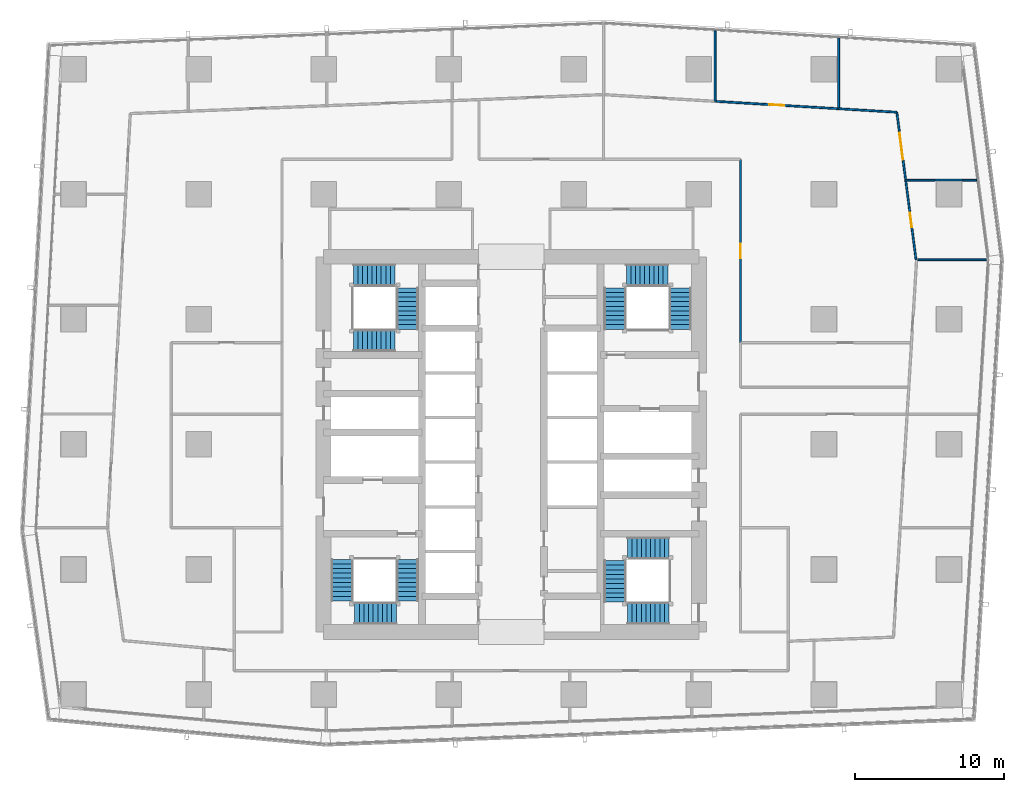
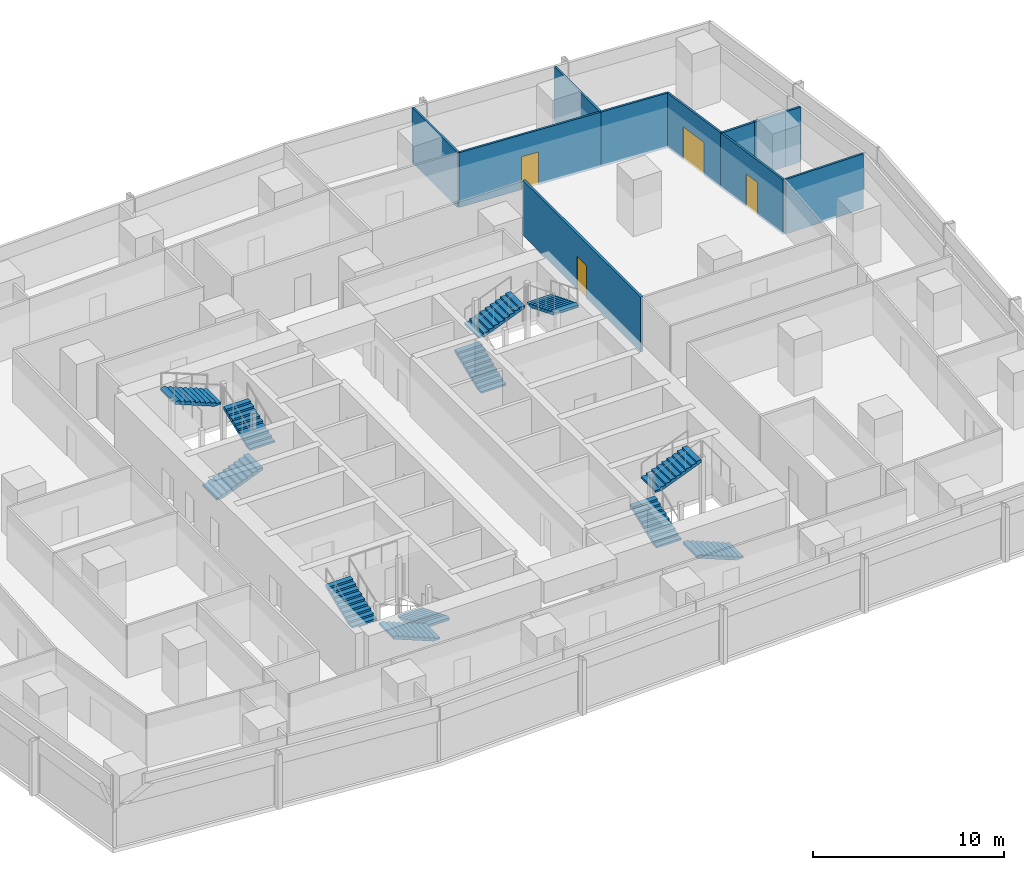
# One storey, part 32 of 40: 12 stair flights, 11 walls, 4 doors, 4 openings, 4 elements without a shape of their own.
"""IFC4 building model written with IfcOpenShell, lengths in metres."""

from ifc_helpers import new_model, si_unit, direction, frame, frame_2d, origin, place, context, subcontext, project, spatial, polyline, rectangle, outline, extrude, material, layer, layer_set, type_object, element, fill, aggregate, save


model = new_model("IFC4")

# Units and contexts
model_context = context("Model", 3, precision=1e-05, world=origin(), true_north=direction((0.0, 1.0)))
body_context = subcontext(model_context, "Body", "Model", "MODEL_VIEW")
ifc_project = project(units=[si_unit("LENGTHUNIT", "METRE"), si_unit("AREAUNIT", "SQUARE_METRE"), si_unit("VOLUMEUNIT", "CUBIC_METRE"), si_unit("PLANEANGLEUNIT", "RADIAN"), si_unit("MASSUNIT", "GRAM", prefix="KILO")], contexts=[model_context])

# Site, building, storey
site_placement = place(None, origin())
site = spatial("IfcSite", under=ifc_project, at=site_placement, CompositionType="ELEMENT")
building_placement = place(site_placement, origin())
building = spatial("IfcBuilding", under=site, at=building_placement, Name="Rekha Terrace Tower", CompositionType="ELEMENT")
storey_placement = place(building_placement, frame((0.0, 0.0, 117.800048828125)))
storey = spatial("IfcBuildingStorey", under=building, at=storey_placement, Name="L29", CompositionType="ELEMENT", Elevation=117.800048828125)

# Wall
ifc_material_1 = material(Name="Concrete block masonry, 1 hour", Category="masonry")
ifc_layer_1 = layer(ifc_material_1, 0.14990234375)
ifc_layer_set_1 = layer_set([ifc_layer_1], Name="Concrete block masonry, 1 hour")
wall_type_1 = type_object("IfcWallType", Name="WP2 150 tenancy partition", PredefinedType="PARTITIONING", material=ifc_layer_set_1)
wall_1_placement = place(storey_placement, frame((68.139892578125, 51.35498046875, 0.0), z_axis=(0.0, 0.0, 1.0), x_axis=(-1.0, 0.0, 0.0)))
element("IfcWall", 1, at=wall_1_placement, inside=storey, type_object=wall_type_1, Name="Partition L29-O1", PredefinedType="PARTITIONING", context=body_context, shape_type="SweptSolid", body=[
    extrude(rectangle(XDim=1.8798828125, YDim=0.14990234375, at=frame_2d((0.93994140625, 0.0))), origin(), (0.0, 0.0, 1.0), 3.5),
])

# Wall, opening, door
wall_2_placement = place(storey_placement, frame((53.199951171875, 40.43310546875, 0.0), z_axis=(0.0, 0.0, 1.0), x_axis=(0.0, 1.0, 0.0)))
wall_2 = element("IfcWall", 2, at=wall_2_placement, inside=storey, type_object=wall_type_1, Name="Partition L29-O1", PredefinedType="PARTITIONING", context=body_context, shape_type="SweptSolid", body=[
    extrude(rectangle(XDim=12.31689453125, YDim=0.14990234375, at=frame_2d((6.158447265625, 0.0))), origin(), (0.0, 0.0, 1.0), 3.5),
])
opening_1_placement = place(wall_2_placement, frame((5.657958984375, 0.0, 0.0)))
opening_1 = element("IfcOpeningElement", 3, at=opening_1_placement, cuts=wall_2, Name="Opening D9", PredefinedType="OPENING", context=body_context, shape_type="SweptSolid", body=[
    extrude(rectangle(XDim=1.0, YDim=2.10009765625, at=frame_2d((0.5, 1.050048828125))), frame((0.0, 0.0849609375, 0.0), z_axis=(0.0, -1.0, 0.0), x_axis=(1.0, 0.0, 0.0)), (0.0, 0.0, 1.0), 0.169921875),
])
ifc_material_2 = material(Name="Timber fire door", Category="wood")
door_type_1 = type_object("IfcDoorType", Name="D9 1000x2100 office door", OperationType="SINGLE_SWING_LEFT", PredefinedType="DOOR", material=ifc_material_2)
door_1_placement = place(opening_1_placement, origin())
door_1 = element("IfcDoor", 4, at=door_1_placement, inside=storey, type_object=door_type_1, Name="Door open-plan office L29", OperationType="SINGLE_SWING_LEFT", OverallHeight=2.10009765625, OverallWidth=1.0, PredefinedType="DOOR", context=body_context, shape_type="SweptSolid", body=[
    extrude(rectangle(XDim=1.0, YDim=2.10009765625, at=frame_2d((0.5, 1.050048828125))), frame((0.0, 0.02490234375, 0.0), z_axis=(0.0, -1.0, 0.0), x_axis=(1.0, 0.0, 0.0)), (0.0, 0.0, 1.0), 0.050048828125),
])
fill(opening_1, door_1)

# Wall
ifc_material_3 = material(Name="Two layers of fire-rated gypsum board each side on steel studs, acoustic quilt, 1 hour", Category="steel")
ifc_layer_2 = layer(ifc_material_3, 0.125)
ifc_layer_set_2 = layer_set([ifc_layer_2], Name="Two layers of fire-rated gypsum board each side on steel studs, acoustic quilt, 1 hour")
wall_type_2 = type_object("IfcWallType", Name="WP3 125 office partition", PredefinedType="PARTITIONING", material=ifc_layer_set_2)
wall_3_placement = place(storey_placement, frame((65.091064453125, 46.0029296875, 0.0), z_axis=(0.0, 0.0, 1.0), x_axis=(1.0, 0.0, 0.0)))
element("IfcWall", 5, at=wall_3_placement, inside=storey, type_object=wall_type_2, Name="Partition L29-06", PredefinedType="PARTITIONING", context=body_context, shape_type="SweptSolid", body=[
    extrude(rectangle(XDim=4.659912109375, YDim=0.125, at=frame_2d((2.330078125, 0.0))), origin(), (0.0, 0.0, 1.0), 3.5),
])

# Wall, opening, door
wall_4_placement = place(storey_placement, frame((64.989990234375, 46.010986328125, 0.0), z_axis=(0.0, 0.0, 1.0), x_axis=(-0.128983610929, 0.991646725458, 0.0)))
wall_4 = element("IfcWall", 6, at=wall_4_placement, inside=storey, type_object=wall_type_2, Name="Partition L29-07", PredefinedType="PARTITIONING", context=body_context, shape_type="SweptSolid", body=[
    extrude(rectangle(XDim=5.371826171875, YDim=0.125, at=frame_2d((2.68603515625, 0.0))), origin(), (0.0, 0.0, 1.0), 3.5),
])
opening_2_placement = place(wall_4_placement, frame((2.181884765625, 0.0, 0.0)))
opening_2 = element("IfcOpeningElement", 7, at=opening_2_placement, cuts=wall_4, Name="Opening D9", PredefinedType="OPENING", context=body_context, shape_type="SweptSolid", body=[
    extrude(rectangle(XDim=1.0, YDim=2.10009765625, at=frame_2d((0.5, 1.050048828125))), frame((0.0, 0.072509765625, 0.0), z_axis=(0.0, -1.0, 0.0), x_axis=(1.0, 0.0, 0.0)), (0.0, 0.0, 1.0), 0.14501953125),
])
door_2_placement = place(opening_2_placement, origin())
door_2 = element("IfcDoor", 8, at=door_2_placement, inside=storey, type_object=door_type_1, Name="Door office L29", OperationType="SINGLE_SWING_LEFT", OverallHeight=2.10009765625, OverallWidth=1.0, PredefinedType="DOOR", context=body_context, shape_type="SweptSolid", body=[
    extrude(rectangle(XDim=1.0, YDim=2.10009765625, at=frame_2d((0.5, 1.050048828125))), frame((0.0, 0.02490234375, 0.0), z_axis=(0.0, -1.0, 0.0), x_axis=(1.0, 0.0, 0.0)), (0.0, 0.0, 1.0), 0.050048828125),
])
fill(opening_2, door_2)

# Walls
wall_5_placement = place(storey_placement, frame((64.297119140625, 51.337890625, 0.0), z_axis=(0.0, 0.0, 1.0), x_axis=(1.0, 0.0, 0.0)))
element("IfcWall", 9, at=wall_5_placement, inside=storey, type_object=wall_type_2, Name="Partition L29-07", PredefinedType="PARTITIONING", context=body_context, shape_type="SweptSolid", body=[
    extrude(rectangle(XDim=1.962890625, YDim=0.125, at=frame_2d((0.9814453125, 0.0))), origin(), (0.0, 0.0, 1.0), 3.5),
])
wall_6_placement = place(storey_placement, frame((68.139892578125, 51.337890625, 0.0), z_axis=(0.0, 0.0, 1.0), x_axis=(1.0, 0.0, 0.0)))
element("IfcWall", 10, at=wall_6_placement, inside=storey, type_object=wall_type_2, Name="Partition L29-07", PredefinedType="PARTITIONING", context=body_context, shape_type="SweptSolid", body=[
    extrude(rectangle(XDim=0.9169921875, YDim=0.125, at=frame_2d((0.45849609375, 0.0))), origin(), (0.0, 0.0, 1.0), 3.5),
])
wall_7_placement = place(storey_placement, frame((59.7880859375, 56.14501953125, 0.0), z_axis=(0.0, 0.0, 1.0), x_axis=(0.0, 1.0, 0.0)))
element("IfcWall", 11, at=wall_7_placement, inside=storey, type_object=wall_type_2, Name="Partition L29-08", PredefinedType="PARTITIONING", context=body_context, shape_type="SweptSolid", body=[
    extrude(rectangle(XDim=4.758056640625, YDim=0.125, at=frame_2d((2.37890625, 0.0))), origin(), (0.0, 0.0, 1.0), 3.5),
])

# Wall, opening, door
wall_8_placement = place(storey_placement, frame((64.297119140625, 51.339111328125, 0.0), z_axis=(0.0, 0.0, 1.0), x_axis=(-0.129339184068, 0.991600411186, 0.0)))
wall_8 = element("IfcWall", 12, at=wall_8_placement, inside=storey, type_object=wall_type_2, Name="Partition L29-08", PredefinedType="PARTITIONING", context=body_context, shape_type="SweptSolid", body=[
    extrude(rectangle(XDim=4.609619140625, YDim=0.125, at=frame_2d((2.3046875, 0.0))), origin(), (0.0, 0.0, 1.0), 3.5),
])
opening_3_placement = place(wall_8_placement, frame((1.405029296875, 0.0, 0.0)))
opening_3 = element("IfcOpeningElement", 13, at=opening_3_placement, cuts=wall_8, Name="Opening D8", PredefinedType="OPENING", context=body_context, shape_type="SweptSolid", body=[
    extrude(rectangle(XDim=1.800048828125, YDim=2.10009765625, at=frame_2d((0.89990234375, 1.050048828125))), frame((0.0, 0.072509765625, 0.0), z_axis=(0.0, -1.0, 0.0), x_axis=(1.0, 0.0, 0.0)), (0.0, 0.0, 1.0), 0.14501953125),
])
door_type_2 = type_object("IfcDoorType", Name="D8 1800x2100 double leaf door", OperationType="DOUBLE_DOOR_SINGLE_SWING", PredefinedType="DOOR", material=ifc_material_2)
door_3_placement = place(opening_3_placement, origin())
door_3 = element("IfcDoor", 14, at=door_3_placement, inside=storey, type_object=door_type_2, Name="Door meeting room L29", OperationType="DOUBLE_DOOR_SINGLE_SWING", OverallHeight=2.10009765625, OverallWidth=1.800048828125, PredefinedType="DOOR", context=body_context, shape_type="SweptSolid", body=[
    extrude(rectangle(XDim=1.800048828125, YDim=2.10009765625, at=frame_2d((0.89990234375, 1.050048828125))), frame((0.0, 0.02490234375, 0.0), z_axis=(0.0, -1.0, 0.0), x_axis=(1.0, 0.0, 0.0)), (0.0, 0.0, 1.0), 0.050048828125),
])
fill(opening_3, door_3)

# Wall
wall_9_placement = place(storey_placement, frame((63.700927734375, 55.909912109375, 0.0), z_axis=(0.0, 0.0, 1.0), x_axis=(-0.998199703309, 0.059977931883, 0.0)))
element("IfcWall", 15, at=wall_9_placement, inside=storey, type_object=wall_type_2, Name="Partition L29-08", PredefinedType="PARTITIONING", context=body_context, shape_type="SweptSolid", body=[
    extrude(rectangle(XDim=3.919921875, YDim=0.125, at=frame_2d((1.9599609375, 0.0))), origin(), (0.0, 0.0, 1.0), 3.5),
])

# Wall, opening, door
wall_10_placement = place(storey_placement, frame((59.787109375, 56.14501953125, 0.0), z_axis=(0.0, 0.0, 1.0), x_axis=(-0.998201048184, 0.059955545233, 0.0)))
wall_10 = element("IfcWall", 16, at=wall_10_placement, inside=storey, type_object=wall_type_2, Name="Partition L29-09", PredefinedType="PARTITIONING", context=body_context, shape_type="SweptSolid", body=[
    extrude(rectangle(XDim=8.306884765625, YDim=0.125, at=frame_2d((4.1533203125, 0.0))), origin(), (0.0, 0.0, 1.0), 3.5),
])
opening_4_placement = place(wall_10_placement, frame((3.653076171875, 0.0, 0.0)))
opening_4 = element("IfcOpeningElement", 17, at=opening_4_placement, cuts=wall_10, Name="Opening D9", PredefinedType="OPENING", context=body_context, shape_type="SweptSolid", body=[
    extrude(rectangle(XDim=1.0, YDim=2.10009765625, at=frame_2d((0.5, 1.050048828125))), frame((0.0, 0.072509765625, 0.0), z_axis=(0.0, -1.0, 0.0), x_axis=(1.0, 0.0, 0.0)), (0.0, 0.0, 1.0), 0.14501953125),
])
door_4_placement = place(opening_4_placement, origin())
door_4 = element("IfcDoor", 18, at=door_4_placement, inside=storey, type_object=door_type_1, Name="Door office L29", OperationType="SINGLE_SWING_LEFT", OverallHeight=2.10009765625, OverallWidth=1.0, PredefinedType="DOOR", context=body_context, shape_type="SweptSolid", body=[
    extrude(rectangle(XDim=1.0, YDim=2.10009765625, at=frame_2d((0.5, 1.050048828125))), frame((0.0, 0.02490234375, 0.0), z_axis=(0.0, -1.0, 0.0), x_axis=(1.0, 0.0, 0.0)), (0.0, 0.0, 1.0), 0.050048828125),
])
fill(opening_4, door_4)

# Wall
wall_11_placement = place(storey_placement, frame((51.4951171875, 56.64306640625, 0.0), z_axis=(0.0, 0.0, 1.0), x_axis=(0.0, 1.0, 0.0)))
element("IfcWall", 19, at=wall_11_placement, inside=storey, type_object=wall_type_2, Name="Partition L29-09", PredefinedType="PARTITIONING", context=body_context, shape_type="SweptSolid", body=[
    extrude(rectangle(XDim=4.72900390625, YDim=0.125, at=frame_2d((2.364501953125, 0.0))), origin(), (0.0, 0.0, 1.0), 3.5),
])

# Stair, stair flights
ifc_material_4 = material(Name="Concrete M40", Category="concrete")
stair_type = type_object("IfcStairType", Name="ST30 stair, 30 risers of 125, going 310, 1500 wide flights, 3 flights", PredefinedType="HALF_TURN_STAIR", material=ifc_material_4)
stair_1_placement = place(storey_placement, origin())
stair_1 = element("IfcStair", 20, at=stair_1_placement, inside=storey, type_object=stair_type, Name="Stair ST1 L29 to L30", PredefinedType="HALF_TURN_STAIR")
stair_flight_type = type_object("IfcStairFlightType", Name="SF10 stair flight, 10 risers of 125, going 310, 1500 wide", PredefinedType="STRAIGHT", material=ifc_material_4)
stair_flight_1_placement = place(storey_placement, frame((30.824951171875, 25.875, 0.0), z_axis=(0.0, 0.0, 1.0), x_axis=(0.0, -1.0, 0.0)))
stair_flight_1 = element("IfcStairFlight", 21, at=stair_flight_1_placement, type_object=stair_flight_type, Name="ST1 flight 1", NumberOfRisers=10, NumberOfTreads=9, PredefinedType="STRAIGHT", RiserHeight=0.125, TreadLength=0.31, context=body_context, shape_type="SweptSolid", body=[
    extrude(outline(polyline([(0.0, 0.0), (0.0, 0.125), (0.31005859375, 0.125), (0.31005859375, 0.25), (0.6201171875, 0.25), (0.6201171875, 0.375), (0.929931640625, 0.375), (0.929931640625, 0.5), (1.239990234375, 0.5), (1.239990234375, 0.625), (1.550048828125, 0.625), (1.550048828125, 0.75), (1.860107421875, 0.75), (1.860107421875, 0.875), (2.169921875, 0.875), (2.169921875, 1.0), (2.47998046875, 1.0), (2.47998046875, 1.125), (2.7900390625, 1.125), (2.7900390625, 1.25), (2.7900390625, 0.96337890625), (0.40087890625, 0.0), (0.0, 0.0)])), frame((0.0, 0.75, 0.0), z_axis=(0.0, -1.0, 0.0), x_axis=(1.0, 0.0, 0.0)), (0.0, 0.0, 1.0), 1.5),
])
stair_flight_2_placement = place(storey_placement, frame((30.074951171875, 22.25, 1.25), z_axis=(0.0, 0.0, 1.0), x_axis=(-1.0, 0.0, 0.0)))
stair_flight_2 = element("IfcStairFlight", 22, at=stair_flight_2_placement, type_object=stair_flight_type, Name="ST1 flight 2", NumberOfRisers=10, NumberOfTreads=9, PredefinedType="STRAIGHT", RiserHeight=0.125, TreadLength=0.31, context=body_context, shape_type="SweptSolid", body=[
    extrude(outline(polyline([(0.0, 0.0), (0.0, 0.125), (0.31005859375, 0.125), (0.31005859375, 0.25), (0.6201171875, 0.25), (0.6201171875, 0.375), (0.929931640625, 0.375), (0.929931640625, 0.5), (1.239990234375, 0.5), (1.239990234375, 0.625), (1.550048828125, 0.625), (1.550048828125, 0.75), (1.860107421875, 0.75), (1.860107421875, 0.875), (2.169921875, 0.875), (2.169921875, 1.0), (2.47998046875, 1.0), (2.47998046875, 1.125), (2.7900390625, 1.125), (2.7900390625, 1.25), (2.7900390625, 0.96337890625), (0.40087890625, 0.0), (0.0, 0.0)])), frame((0.0, 0.75, 0.0), z_axis=(0.0, -1.0, 0.0), x_axis=(1.0, 0.0, 0.0)), (0.0, 0.0, 1.0), 1.5),
])
stair_flight_3_placement = place(storey_placement, frame((26.449951171875, 23.0849609375, 2.5), z_axis=(0.0, 0.0, 1.0), x_axis=(0.0, 1.0, 0.0)))
stair_flight_3 = element("IfcStairFlight", 23, at=stair_flight_3_placement, type_object=stair_flight_type, Name="ST1 flight 3", NumberOfRisers=10, NumberOfTreads=9, PredefinedType="STRAIGHT", RiserHeight=0.125, TreadLength=0.31, context=body_context, shape_type="SweptSolid", body=[
    extrude(outline(polyline([(0.0, 0.0), (0.0, 0.125), (0.31005859375, 0.125), (0.31005859375, 0.25), (0.6201171875, 0.25), (0.6201171875, 0.375), (0.929931640625, 0.375), (0.929931640625, 0.5), (1.239990234375, 0.5), (1.239990234375, 0.625), (1.550048828125, 0.625), (1.550048828125, 0.75), (1.860107421875, 0.75), (1.860107421875, 0.875), (2.169921875, 0.875), (2.169921875, 1.0), (2.47998046875, 1.0), (2.47998046875, 1.125), (2.7900390625, 1.125), (2.7900390625, 1.25), (2.7900390625, 0.96337890625), (0.40087890625, 0.0), (0.0, 0.0)])), frame((0.0, 0.75, 0.0), z_axis=(0.0, -1.0, 0.0), x_axis=(1.0, 0.0, 0.0)), (0.0, 0.0, 1.0), 1.5),
])
aggregate(stair_1, [stair_flight_1, stair_flight_2, stair_flight_3])

stair_2_placement = place(storey_placement, origin())
stair_2 = element("IfcStair", 24, at=stair_2_placement, inside=storey, type_object=stair_type, Name="Stair ST2 L29 to L30", PredefinedType="HALF_TURN_STAIR")
stair_flight_4_placement = place(storey_placement, frame((44.77490234375, 41.324951171875, 0.0), z_axis=(0.0, 0.0, 1.0), x_axis=(0.0, 1.0, 0.0)))
stair_flight_4 = element("IfcStairFlight", 25, at=stair_flight_4_placement, type_object=stair_flight_type, Name="ST2 flight 1", NumberOfRisers=10, NumberOfTreads=9, PredefinedType="STRAIGHT", RiserHeight=0.125, TreadLength=0.31, context=body_context, shape_type="SweptSolid", body=[
    extrude(outline(polyline([(0.0, 0.0), (0.0, 0.125), (0.31005859375, 0.125), (0.31005859375, 0.25), (0.6201171875, 0.25), (0.6201171875, 0.375), (0.929931640625, 0.375), (0.929931640625, 0.5), (1.239990234375, 0.5), (1.239990234375, 0.625), (1.550048828125, 0.625), (1.550048828125, 0.75), (1.860107421875, 0.75), (1.860107421875, 0.875), (2.169921875, 0.875), (2.169921875, 1.0), (2.47998046875, 1.0), (2.47998046875, 1.125), (2.7900390625, 1.125), (2.7900390625, 1.25), (2.7900390625, 0.96337890625), (0.40087890625, 0.0), (0.0, 0.0)])), frame((0.0, 0.75, 0.0), z_axis=(0.0, -1.0, 0.0), x_axis=(1.0, 0.0, 0.0)), (0.0, 0.0, 1.0), 1.5),
])
stair_flight_5_placement = place(storey_placement, frame((45.52490234375, 44.949951171875, 1.25), z_axis=(0.0, 0.0, 1.0), x_axis=(1.0, 0.0, 0.0)))
stair_flight_5 = element("IfcStairFlight", 26, at=stair_flight_5_placement, type_object=stair_flight_type, Name="ST2 flight 2", NumberOfRisers=10, NumberOfTreads=9, PredefinedType="STRAIGHT", RiserHeight=0.125, TreadLength=0.31, context=body_context, shape_type="SweptSolid", body=[
    extrude(outline(polyline([(0.0, 0.0), (0.0, 0.125), (0.31005859375, 0.125), (0.31005859375, 0.25), (0.6201171875, 0.25), (0.6201171875, 0.375), (0.929931640625, 0.375), (0.929931640625, 0.5), (1.239990234375, 0.5), (1.239990234375, 0.625), (1.550048828125, 0.625), (1.550048828125, 0.75), (1.860107421875, 0.75), (1.860107421875, 0.875), (2.169921875, 0.875), (2.169921875, 1.0), (2.47998046875, 1.0), (2.47998046875, 1.125), (2.7900390625, 1.125), (2.7900390625, 1.25), (2.7900390625, 0.96337890625), (0.40087890625, 0.0), (0.0, 0.0)])), frame((0.0, 0.75, 0.0), z_axis=(0.0, -1.0, 0.0), x_axis=(1.0, 0.0, 0.0)), (0.0, 0.0, 1.0), 1.5),
])
stair_flight_6_placement = place(storey_placement, frame((49.14990234375, 44.114990234375, 2.5), z_axis=(0.0, 0.0, 1.0), x_axis=(0.0, -1.0, 0.0)))
stair_flight_6 = element("IfcStairFlight", 27, at=stair_flight_6_placement, type_object=stair_flight_type, Name="ST2 flight 3", NumberOfRisers=10, NumberOfTreads=9, PredefinedType="STRAIGHT", RiserHeight=0.125, TreadLength=0.31, context=body_context, shape_type="SweptSolid", body=[
    extrude(outline(polyline([(0.0, 0.0), (0.0, 0.125), (0.31005859375, 0.125), (0.31005859375, 0.25), (0.6201171875, 0.25), (0.6201171875, 0.375), (0.929931640625, 0.375), (0.929931640625, 0.5), (1.239990234375, 0.5), (1.239990234375, 0.625), (1.550048828125, 0.625), (1.550048828125, 0.75), (1.860107421875, 0.75), (1.860107421875, 0.875), (2.169921875, 0.875), (2.169921875, 1.0), (2.47998046875, 1.0), (2.47998046875, 1.125), (2.7900390625, 1.125), (2.7900390625, 1.25), (2.7900390625, 0.96337890625), (0.40087890625, 0.0), (0.0, 0.0)])), frame((0.0, 0.75, 0.0), z_axis=(0.0, -1.0, 0.0), x_axis=(1.0, 0.0, 0.0)), (0.0, 0.0, 1.0), 1.5),
])
aggregate(stair_2, [stair_flight_4, stair_flight_5, stair_flight_6])

stair_3_placement = place(storey_placement, origin())
stair_3 = element("IfcStair", 28, at=stair_3_placement, inside=storey, type_object=stair_type, Name="Stair ST3 L29 to L30", PredefinedType="HALF_TURN_STAIR")
stair_flight_7_placement = place(storey_placement, frame((48.39990234375, 22.25, 0.0), z_axis=(0.0, 0.0, 1.0), x_axis=(-1.0, 0.0, 0.0)))
stair_flight_7 = element("IfcStairFlight", 29, at=stair_flight_7_placement, type_object=stair_flight_type, Name="ST3 flight 1", NumberOfRisers=10, NumberOfTreads=9, PredefinedType="STRAIGHT", RiserHeight=0.125, TreadLength=0.31, context=body_context, shape_type="SweptSolid", body=[
    extrude(outline(polyline([(0.0, 0.0), (0.0, 0.125), (0.31005859375, 0.125), (0.31005859375, 0.25), (0.6201171875, 0.25), (0.6201171875, 0.375), (0.929931640625, 0.375), (0.929931640625, 0.5), (1.239990234375, 0.5), (1.239990234375, 0.625), (1.550048828125, 0.625), (1.550048828125, 0.75), (1.860107421875, 0.75), (1.860107421875, 0.875), (2.169921875, 0.875), (2.169921875, 1.0), (2.47998046875, 1.0), (2.47998046875, 1.125), (2.7900390625, 1.125), (2.7900390625, 1.25), (2.7900390625, 0.96337890625), (0.40087890625, 0.0), (0.0, 0.0)])), frame((0.0, 0.75, 0.0), z_axis=(0.0, -1.0, 0.0), x_axis=(1.0, 0.0, 0.0)), (0.0, 0.0, 1.0), 1.5),
])
stair_flight_8_placement = place(storey_placement, frame((44.77490234375, 23.0, 1.25), z_axis=(0.0, 0.0, 1.0), x_axis=(0.0, 1.0, 0.0)))
stair_flight_8 = element("IfcStairFlight", 30, at=stair_flight_8_placement, type_object=stair_flight_type, Name="ST3 flight 2", NumberOfRisers=10, NumberOfTreads=9, PredefinedType="STRAIGHT", RiserHeight=0.125, TreadLength=0.31, context=body_context, shape_type="SweptSolid", body=[
    extrude(outline(polyline([(0.0, 0.0), (0.0, 0.125), (0.31005859375, 0.125), (0.31005859375, 0.25), (0.6201171875, 0.25), (0.6201171875, 0.375), (0.929931640625, 0.375), (0.929931640625, 0.5), (1.239990234375, 0.5), (1.239990234375, 0.625), (1.550048828125, 0.625), (1.550048828125, 0.75), (1.860107421875, 0.75), (1.860107421875, 0.875), (2.169921875, 0.875), (2.169921875, 1.0), (2.47998046875, 1.0), (2.47998046875, 1.125), (2.7900390625, 1.125), (2.7900390625, 1.25), (2.7900390625, 0.96337890625), (0.40087890625, 0.0), (0.0, 0.0)])), frame((0.0, 0.75, 0.0), z_axis=(0.0, -1.0, 0.0), x_axis=(1.0, 0.0, 0.0)), (0.0, 0.0, 1.0), 1.5),
])
stair_flight_9_placement = place(storey_placement, frame((45.610107421875, 26.625, 2.5), z_axis=(0.0, 0.0, 1.0), x_axis=(1.0, 0.0, 0.0)))
stair_flight_9 = element("IfcStairFlight", 31, at=stair_flight_9_placement, type_object=stair_flight_type, Name="ST3 flight 3", NumberOfRisers=10, NumberOfTreads=9, PredefinedType="STRAIGHT", RiserHeight=0.125, TreadLength=0.31, context=body_context, shape_type="SweptSolid", body=[
    extrude(outline(polyline([(0.0, 0.0), (0.0, 0.125), (0.31005859375, 0.125), (0.31005859375, 0.25), (0.6201171875, 0.25), (0.6201171875, 0.375), (0.929931640625, 0.375), (0.929931640625, 0.5), (1.239990234375, 0.5), (1.239990234375, 0.625), (1.550048828125, 0.625), (1.550048828125, 0.75), (1.860107421875, 0.75), (1.860107421875, 0.875), (2.169921875, 0.875), (2.169921875, 1.0), (2.47998046875, 1.0), (2.47998046875, 1.125), (2.7900390625, 1.125), (2.7900390625, 1.25), (2.7900390625, 0.96337890625), (0.40087890625, 0.0), (0.0, 0.0)])), frame((0.0, 0.75, 0.0), z_axis=(0.0, -1.0, 0.0), x_axis=(1.0, 0.0, 0.0)), (0.0, 0.0, 1.0), 1.5),
])
aggregate(stair_3, [stair_flight_7, stair_flight_8, stair_flight_9])

stair_4_placement = place(storey_placement, origin())
stair_4 = element("IfcStair", 32, at=stair_4_placement, inside=storey, type_object=stair_type, Name="Stair ST4 L29 to L30", PredefinedType="HALF_TURN_STAIR")
stair_flight_10_placement = place(storey_placement, frame((27.199951171875, 40.574951171875, 0.0), z_axis=(0.0, 0.0, 1.0), x_axis=(1.0, 0.0, 0.0)))
stair_flight_10 = element("IfcStairFlight", 33, at=stair_flight_10_placement, type_object=stair_flight_type, Name="ST4 flight 1", NumberOfRisers=10, NumberOfTreads=9, PredefinedType="STRAIGHT", RiserHeight=0.125, TreadLength=0.31, context=body_context, shape_type="SweptSolid", body=[
    extrude(outline(polyline([(0.0, 0.0), (0.0, 0.125), (0.31005859375, 0.125), (0.31005859375, 0.25), (0.6201171875, 0.25), (0.6201171875, 0.375), (0.929931640625, 0.375), (0.929931640625, 0.5), (1.239990234375, 0.5), (1.239990234375, 0.625), (1.550048828125, 0.625), (1.550048828125, 0.75), (1.860107421875, 0.75), (1.860107421875, 0.875), (2.169921875, 0.875), (2.169921875, 1.0), (2.47998046875, 1.0), (2.47998046875, 1.125), (2.7900390625, 1.125), (2.7900390625, 1.25), (2.7900390625, 0.96337890625), (0.40087890625, 0.0), (0.0, 0.0)])), frame((0.0, 0.75, 0.0), z_axis=(0.0, -1.0, 0.0), x_axis=(1.0, 0.0, 0.0)), (0.0, 0.0, 1.0), 1.5),
])
stair_flight_11_placement = place(storey_placement, frame((30.824951171875, 41.324951171875, 1.25), z_axis=(0.0, 0.0, 1.0), x_axis=(0.0, 1.0, 0.0)))
stair_flight_11 = element("IfcStairFlight", 34, at=stair_flight_11_placement, type_object=stair_flight_type, Name="ST4 flight 2", NumberOfRisers=10, NumberOfTreads=9, PredefinedType="STRAIGHT", RiserHeight=0.125, TreadLength=0.31, context=body_context, shape_type="SweptSolid", body=[
    extrude(outline(polyline([(0.0, 0.0), (0.0, 0.125), (0.31005859375, 0.125), (0.31005859375, 0.25), (0.6201171875, 0.25), (0.6201171875, 0.375), (0.929931640625, 0.375), (0.929931640625, 0.5), (1.239990234375, 0.5), (1.239990234375, 0.625), (1.550048828125, 0.625), (1.550048828125, 0.75), (1.860107421875, 0.75), (1.860107421875, 0.875), (2.169921875, 0.875), (2.169921875, 1.0), (2.47998046875, 1.0), (2.47998046875, 1.125), (2.7900390625, 1.125), (2.7900390625, 1.25), (2.7900390625, 0.96337890625), (0.40087890625, 0.0), (0.0, 0.0)])), frame((0.0, 0.75, 0.0), z_axis=(0.0, -1.0, 0.0), x_axis=(1.0, 0.0, 0.0)), (0.0, 0.0, 1.0), 1.5),
])
stair_flight_12_placement = place(storey_placement, frame((29.989990234375, 44.949951171875, 2.5), z_axis=(0.0, 0.0, 1.0), x_axis=(-1.0, 0.0, 0.0)))
stair_flight_12 = element("IfcStairFlight", 35, at=stair_flight_12_placement, type_object=stair_flight_type, Name="ST4 flight 3", NumberOfRisers=10, NumberOfTreads=9, PredefinedType="STRAIGHT", RiserHeight=0.125, TreadLength=0.31, context=body_context, shape_type="SweptSolid", body=[
    extrude(outline(polyline([(0.0, 0.0), (0.0, 0.125), (0.31005859375, 0.125), (0.31005859375, 0.25), (0.6201171875, 0.25), (0.6201171875, 0.375), (0.929931640625, 0.375), (0.929931640625, 0.5), (1.239990234375, 0.5), (1.239990234375, 0.625), (1.550048828125, 0.625), (1.550048828125, 0.75), (1.860107421875, 0.75), (1.860107421875, 0.875), (2.169921875, 0.875), (2.169921875, 1.0), (2.47998046875, 1.0), (2.47998046875, 1.125), (2.7900390625, 1.125), (2.7900390625, 1.25), (2.7900390625, 0.96337890625), (0.40087890625, 0.0), (0.0, 0.0)])), frame((0.0, 0.75, 0.0), z_axis=(0.0, -1.0, 0.0), x_axis=(1.0, 0.0, 0.0)), (0.0, 0.0, 1.0), 1.5),
])
aggregate(stair_4, [stair_flight_10, stair_flight_11, stair_flight_12])

save(model, "model.ifc")
